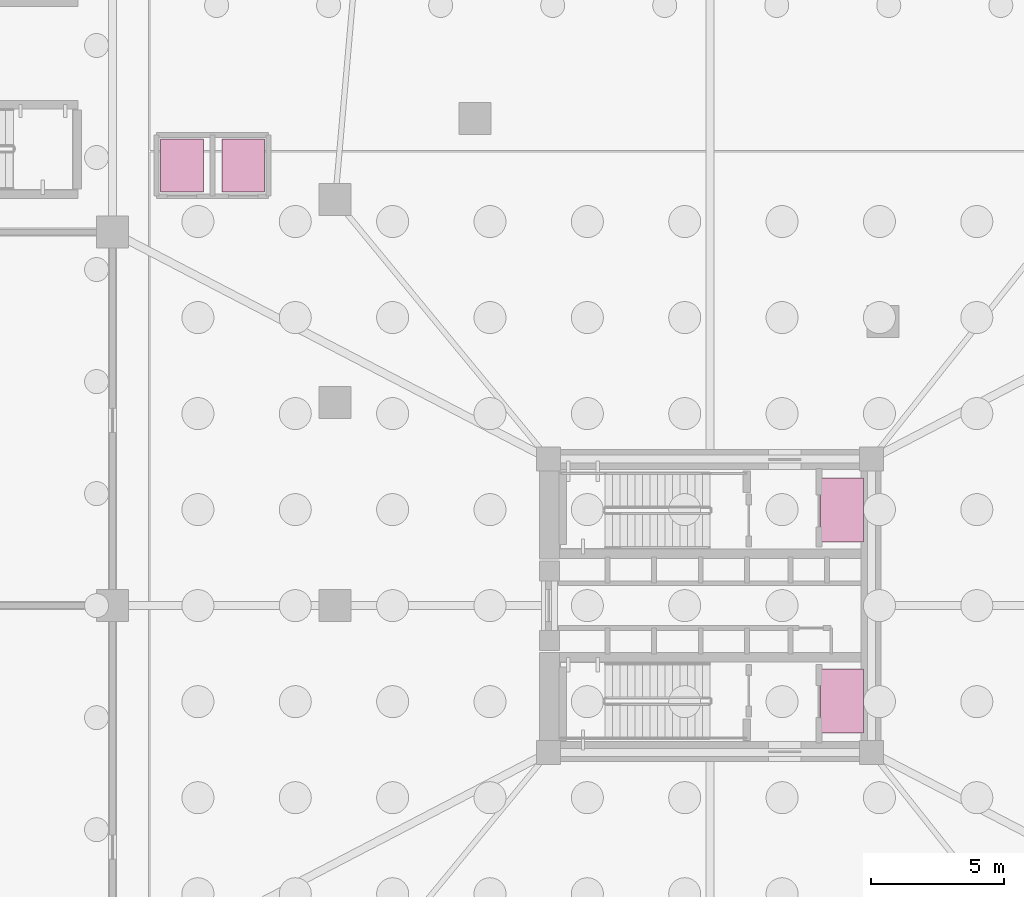
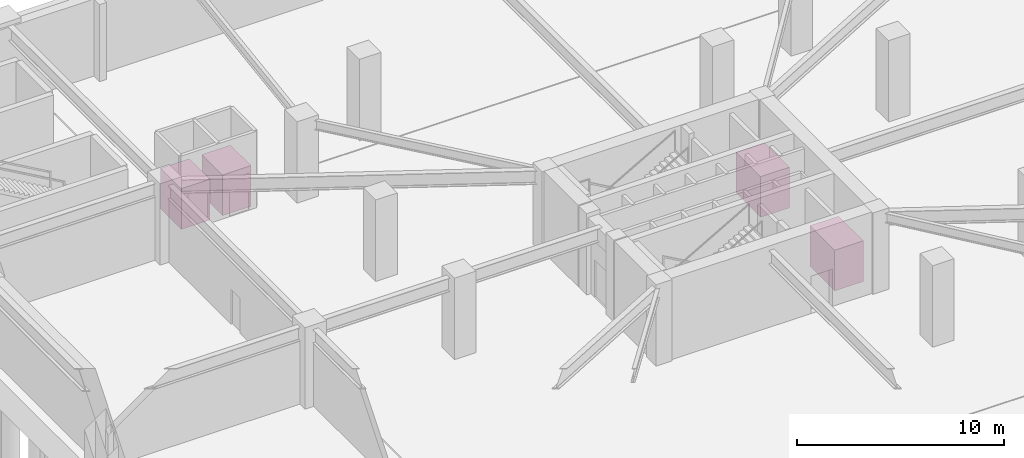
# One storey, part 14 of 14: 4 transport elements.
"""IFC4 building model written with IfcOpenShell, lengths in metres."""

from ifc_helpers import new_model, si_unit, direction, frame, origin, origin_2d, place, context, subcontext, project, spatial, rectangle, extrude, source, transform, mapped, material, type_object, element, save


model = new_model("IFC4")

# Units and contexts
model_context = context("Model", 3, precision=1e-05, world=origin(), true_north=direction((0.0, 1.0)))
body_context = subcontext(model_context, "Body", "Model", "MODEL_VIEW")
ifc_project = project(units=[si_unit("LENGTHUNIT", "METRE"), si_unit("AREAUNIT", "SQUARE_METRE"), si_unit("VOLUMEUNIT", "CUBIC_METRE"), si_unit("PLANEANGLEUNIT", "RADIAN"), si_unit("MASSUNIT", "GRAM", prefix="KILO")], contexts=[model_context])

# Site, building, storey
site_placement = place(None, origin())
site = spatial("IfcSite", under=ifc_project, at=site_placement, CompositionType="ELEMENT")
building_placement = place(site_placement, origin())
building = spatial("IfcBuilding", under=site, at=building_placement, Name="Yunling Apex Tower", CompositionType="ELEMENT")
storey_placement = place(building_placement, frame((0.0, 0.0, -9.60009765625)))
storey = spatial("IfcBuildingStorey", under=building, at=storey_placement, Name="B02", CompositionType="ELEMENT", Elevation=-9.60009765625)

# Transport elements
ifc_material_1 = material(Name="Steel Q355B", Category="steel")
transport_element_type_1 = type_object("IfcTransportElementType", Name="LF-FFL-1", PredefinedType="ELEVATOR", material=ifc_material_1)
shared_shape_1 = source(origin(), body_context, "Body", "SweptSolid", [
    extrude(rectangle(XDim=1.60009765625, YDim=2.39990234375, at=origin_2d()), origin(), (0.0, 0.0, 1.0), 2.39990234375),
])
for number, where, z_axis, x_axis, name in (
    (1, (4.949951171875, 3.580078125, 0.000244140625), (0.0, 0.0, 1.0), (1.0, 0.0, 0.0), "FFL-1 Lift"),
    (2, (4.949951171875, -3.580078125, 0.000244140625), (0.0, 0.0, 1.0), (1.0, 0.0, 0.0), "FFL-2 Lift"),
):
    element("IfcTransportElement", number, at=place(storey_placement, frame(where, z_axis=z_axis, x_axis=x_axis)), inside=storey, type_object=transport_element_type_1, Name=name, PredefinedType="ELEVATOR", context=body_context, shape_type="MappedRepresentation", body=[
        mapped(shared_shape_1, transform((0.0, 0.0, 0.0), scale=1.0)),
    ])
ifc_material_2 = material(Name="Silver anodised aluminium", Category="aluminium")
transport_element_type_2 = type_object("IfcTransportElementType", Name="LF-POD-1", PredefinedType="ELEVATOR", material=ifc_material_2)
shared_shape_2 = source(origin(), body_context, "Body", "SweptSolid", [
    extrude(rectangle(XDim=1.60009765625, YDim=2.0, at=origin_2d()), origin(), (0.0, 0.0, 1.0), 2.39990234375),
])
for number, where, z_axis, x_axis, name in (
    (3, (-19.800048828125, 16.5, 0.000244140625), (0.0, 0.0, 1.0), (1.0, 0.0, 0.0), "PL-P1 Lift"),
    (4, (-17.5, 16.5, 0.000244140625), (0.0, 0.0, 1.0), (1.0, 0.0, 0.0), "PL-P2 Lift"),
):
    element("IfcTransportElement", number, at=place(storey_placement, frame(where, z_axis=z_axis, x_axis=x_axis)), inside=storey, type_object=transport_element_type_2, Name=name, PredefinedType="ELEVATOR", context=body_context, shape_type="MappedRepresentation", body=[
        mapped(shared_shape_2, transform((0.0, 0.0, 0.0), scale=1.0)),
    ])

save(model, "model.ifc")
